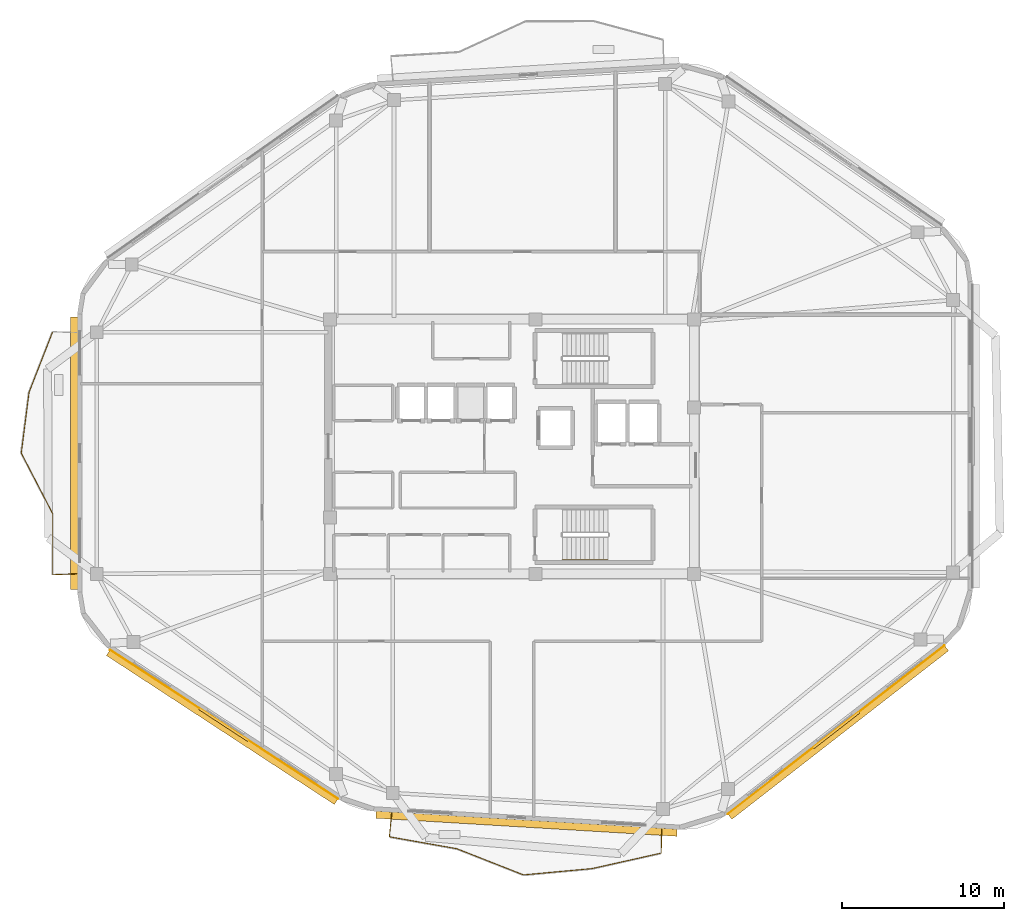
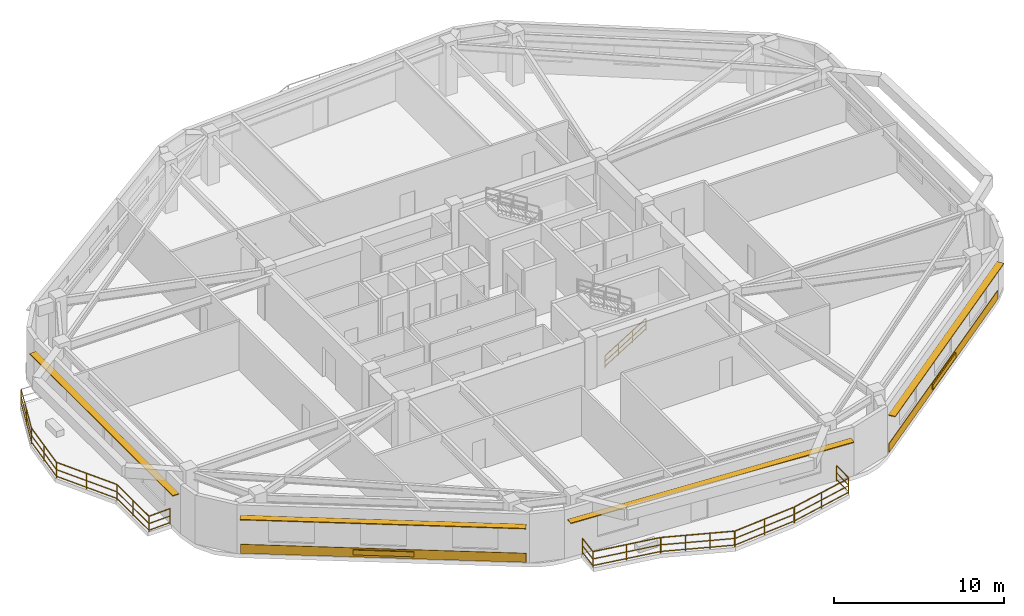
# One storey, part 7 of 10: 12 railings, 6 shading devices, 2 coverings.
"""IFC4 building model written with IfcOpenShell, lengths in metres."""

from ifc_helpers import new_model, si_unit, direction, frame, origin, origin_2d, place, context, subcontext, project, spatial, rectangle, extrude, material, layer, layer_set, type_object, element, save


model = new_model("IFC4")

# Units and contexts
model_context = context("Model", 3, precision=1e-05, world=origin(), true_north=direction((0.0, 1.0)))
body_context = subcontext(model_context, "Body", "Model", "MODEL_VIEW")
ifc_project = project(units=[si_unit("LENGTHUNIT", "METRE"), si_unit("AREAUNIT", "SQUARE_METRE"), si_unit("VOLUMEUNIT", "CUBIC_METRE"), si_unit("PLANEANGLEUNIT", "RADIAN"), si_unit("MASSUNIT", "GRAM", prefix="KILO")], contexts=[model_context])

# Site, building, storey
site_placement = place(None, origin())
site = spatial("IfcSite", under=ifc_project, at=site_placement, CompositionType="ELEMENT")
building_placement = place(site_placement, origin())
building = spatial("IfcBuilding", under=site, at=building_placement, Name="Zulverin Broadcast Headquarters", CompositionType="ELEMENT")
storey_placement = place(building_placement, frame((0.0, 0.0, 236.39990234375)))
storey = spatial("IfcBuildingStorey", under=building, at=storey_placement, Name="L60", CompositionType="ELEMENT", Elevation=236.39990234375)

# Coverings
ifc_material_1 = material(Name="Brushed pale-aluminium rainscreen cladding", Category="aluminium")
ifc_layer_1 = layer(ifc_material_1, 0.0400390625, Name="Brushed pale-aluminium rainscreen cladding", Category="aluminium")
ifc_layer_set_1 = layer_set([ifc_layer_1], Name="Brushed pale-aluminium rainscreen cladding")
covering_type = type_object("IfcCoveringType", Name="COV-CLAD-PALE", PredefinedType="CLADDING", material=ifc_layer_set_1)
covering_1_placement = place(storey_placement, frame((57.059326171875, 7.6767578125, 0.05517578125), z_axis=(0.0, 0.0, 1.0), x_axis=(0.789459183061, 0.613803061479, 0.0)))
element("IfcCovering", 1, at=covering_1_placement, inside=storey, type_object=covering_type, Name="L60 Brushed Pale-Aluminium Spandrel Cladding 2", PredefinedType="CLADDING", context=body_context, shape_type="SweptSolid", body=[
    extrude(rectangle(XDim=16.987548828125, YDim=0.0400390625, at=origin_2d()), origin(), (0.0, 0.0, 1.0), 0.64990234375),
])
covering_2_placement = place(storey_placement, frame((19.17578125, 8.00732421875, 0.05517578125), z_axis=(0.0, 0.0, 1.0), x_axis=(0.837115830387, -0.54702567263, 0.0)))
element("IfcCovering", 2, at=covering_2_placement, inside=storey, type_object=covering_type, Name="L60 Brushed Pale-Aluminium Spandrel Cladding 8", PredefinedType="CLADDING", context=body_context, shape_type="SweptSolid", body=[
    extrude(rectangle(XDim=16.859130859375, YDim=0.0400390625, at=origin_2d()), origin(), (0.0, 0.0, 1.0), 0.64990234375),
])

# Railings
ifc_material_2 = material(Name="Brushed stainless steel & laminated glass balustrade", Category="steel")
railing_type_1 = type_object("IfcRailingType", Name="RL-GUARD-1150", PredefinedType="GUARDRAIL", material=ifc_material_2)
railing_1_placement = place(storey_placement, frame((8.574462890625, 32.311279296875, 0.0)))
element("IfcRailing", 3, at=railing_1_placement, inside=storey, type_object=railing_type_1, Name="L60 Vertical-Forest Balcony Guardrail BAL_W Segment 02", PredefinedType="GUARDRAIL", context=body_context, shape_type="SweptSolid", body=[
    extrude(rectangle(XDim=0.048095703125, YDim=0.048095703125, at=origin_2d()), frame((0.0, 0.0, 1.1259765625), z_axis=(-0.363547639782, -0.931575608101, 0.0), x_axis=(0.931575608101, -0.363547639782, 0.0)), (0.0, 0.0, 1.0), 4.010498046875),
    extrude(rectangle(XDim=0.0419921875, YDim=0.0419921875, at=origin_2d()), frame((0.0, 0.0, 0.597900390625), z_axis=(-0.363547639782, -0.931575608101, 0.0), x_axis=(0.931575608101, -0.363547639782, 0.0)), (0.0, 0.0, 1.0), 4.010498046875),
    extrude(rectangle(XDim=0.0419921875, YDim=0.0419921875, at=origin_2d()), frame((0.0, 0.0, 0.1201171875), z_axis=(-0.363547639782, -0.931575608101, 0.0), x_axis=(0.931575608101, -0.363547639782, 0.0)), (0.0, 0.0, 1.0), 4.010498046875),
    extrude(rectangle(XDim=0.0419921875, YDim=0.0419921875, at=origin_2d()), origin(), (0.0, 0.0, 1.0), 1.101806640625),
    extrude(rectangle(XDim=0.0419921875, YDim=0.0419921875, at=origin_2d()), frame((-0.72900390625, -1.8681640625, 0.0)), (0.0, 0.0, 1.0), 1.101806640625),
    extrude(rectangle(XDim=0.0419921875, YDim=0.0419921875, at=origin_2d()), frame((-1.4580078125, -3.736083984375, 0.0)), (0.0, 0.0, 1.0), 1.101806640625),
])
railing_2_placement = place(storey_placement, frame((7.109130859375, 28.546142578125, 0.0)))
element("IfcRailing", 4, at=railing_2_placement, inside=storey, type_object=railing_type_1, Name="L60 Vertical-Forest Balcony Guardrail BAL_W Segment 03", PredefinedType="GUARDRAIL", context=body_context, shape_type="SweptSolid", body=[
    extrude(rectangle(XDim=0.048095703125, YDim=0.048095703125, at=origin_2d()), frame((0.0, 0.0, 1.1259765625), z_axis=(-0.126788023985, -0.991929834703, 0.0), x_axis=(0.991929834703, -0.126788023985, 0.0)), (0.0, 0.0, 1.0), 3.764404296875),
    extrude(rectangle(XDim=0.0419921875, YDim=0.0419921875, at=origin_2d()), frame((0.0, 0.0, 0.597900390625), z_axis=(-0.126788023985, -0.991929834703, 0.0), x_axis=(0.991929834703, -0.126788023985, 0.0)), (0.0, 0.0, 1.0), 3.764404296875),
    extrude(rectangle(XDim=0.0419921875, YDim=0.0419921875, at=origin_2d()), frame((0.0, 0.0, 0.1201171875), z_axis=(-0.126788023985, -0.991929834703, 0.0), x_axis=(0.991929834703, -0.126788023985, 0.0)), (0.0, 0.0, 1.0), 3.764404296875),
    extrude(rectangle(XDim=0.0419921875, YDim=0.0419921875, at=origin_2d()), origin(), (0.0, 0.0, 1.0), 1.101806640625),
    extrude(rectangle(XDim=0.0419921875, YDim=0.0419921875, at=origin_2d()), frame((-0.23876953125, -1.8671875, 0.0)), (0.0, 0.0, 1.0), 1.101806640625),
    extrude(rectangle(XDim=0.0419921875, YDim=0.0419921875, at=origin_2d()), frame((-0.477294921875, -3.734130859375, 0.0)), (0.0, 0.0, 1.0), 1.101806640625),
])
railing_3_placement = place(storey_placement, frame((6.636962890625, 24.78369140625, 0.0)))
element("IfcRailing", 5, at=railing_3_placement, inside=storey, type_object=railing_type_1, Name="L60 Vertical-Forest Balcony Guardrail BAL_W Segment 04", PredefinedType="GUARDRAIL", context=body_context, shape_type="SweptSolid", body=[
    extrude(rectangle(XDim=0.048095703125, YDim=0.048095703125, at=origin_2d()), frame((0.0, 0.0, 1.1259765625), z_axis=(0.459951434147, -0.887944073816, 0.0), x_axis=(0.887944073816, 0.459951434147, 0.0)), (0.0, 0.0, 1.0), 4.209228515625),
    extrude(rectangle(XDim=0.0419921875, YDim=0.0419921875, at=origin_2d()), frame((0.0, 0.0, 0.597900390625), z_axis=(0.459951434147, -0.887944073816, 0.0), x_axis=(0.887944073816, 0.459951434147, 0.0)), (0.0, 0.0, 1.0), 4.209228515625),
    extrude(rectangle(XDim=0.0419921875, YDim=0.0419921875, at=origin_2d()), frame((0.0, 0.0, 0.1201171875), z_axis=(0.459951434147, -0.887944073816, 0.0), x_axis=(0.887944073816, 0.459951434147, 0.0)), (0.0, 0.0, 1.0), 4.209228515625),
    extrude(rectangle(XDim=0.0419921875, YDim=0.0419921875, at=origin_2d()), origin(), (0.0, 0.0, 1.0), 1.101806640625),
    extrude(rectangle(XDim=0.0419921875, YDim=0.0419921875, at=origin_2d()), frame((0.968017578125, -1.86865234375, 0.0)), (0.0, 0.0, 1.0), 1.101806640625),
    extrude(rectangle(XDim=0.0419921875, YDim=0.0419921875, at=origin_2d()), frame((1.93603515625, -3.737548828125, 0.0)), (0.0, 0.0, 1.0), 1.101806640625),
])
railing_4_placement = place(storey_placement, frame((8.580078125, 21.017822265625, 0.0)))
element("IfcRailing", 6, at=railing_4_placement, inside=storey, type_object=railing_type_1, Name="L60 Vertical-Forest Balcony Guardrail BAL_W Segment 05", PredefinedType="GUARDRAIL", context=body_context, shape_type="SweptSolid", body=[
    extrude(rectangle(XDim=0.048095703125, YDim=0.048095703125, at=origin_2d()), frame((0.0, 0.0, 1.1259765625), z_axis=(0.0, -1.0, 0.0), x_axis=(1.0, 0.0, 0.0)), (0.0, 0.0, 1.0), 3.734130859375),
    extrude(rectangle(XDim=0.0419921875, YDim=0.0419921875, at=origin_2d()), frame((0.0, 0.0, 0.597900390625), z_axis=(0.0, -1.0, 0.0), x_axis=(1.0, 0.0, 0.0)), (0.0, 0.0, 1.0), 3.734130859375),
    extrude(rectangle(XDim=0.0419921875, YDim=0.0419921875, at=origin_2d()), frame((0.0, 0.0, 0.1201171875), z_axis=(0.0, -1.0, 0.0), x_axis=(1.0, 0.0, 0.0)), (0.0, 0.0, 1.0), 3.734130859375),
    extrude(rectangle(XDim=0.0419921875, YDim=0.0419921875, at=origin_2d()), origin(), (0.0, 0.0, 1.0), 1.101806640625),
    extrude(rectangle(XDim=0.0419921875, YDim=0.0419921875, at=origin_2d()), frame((0.0, -1.8671875, 0.0)), (0.0, 0.0, 1.0), 1.101806640625),
    extrude(rectangle(XDim=0.0419921875, YDim=0.0419921875, at=origin_2d()), frame((0.0, -3.734130859375, 0.0)), (0.0, 0.0, 1.0), 1.101806640625),
])
railing_5_placement = place(storey_placement, frame((8.594970703125, 17.269287109375, 0.0)))
element("IfcRailing", 7, at=railing_5_placement, inside=storey, type_object=railing_type_1, Name="L60 Vertical-Forest Balcony Guardrail BAL_W Segment 06", PredefinedType="GUARDRAIL", context=body_context, shape_type="SweptSolid", body=[
    extrude(rectangle(XDim=0.048095703125, YDim=0.048095703125, at=origin_2d()), frame((0.0, 0.0, 1.1259765625), z_axis=(0.999181155166, 0.040460093435, 0.0), x_axis=(-0.040460093435, 0.999181155166, 0.0)), (0.0, 0.0, 1.0), 1.46630859375),
    extrude(rectangle(XDim=0.0419921875, YDim=0.0419921875, at=origin_2d()), frame((0.0, 0.0, 0.597900390625), z_axis=(0.999181155166, 0.040460093435, 0.0), x_axis=(-0.040460093435, 0.999181155166, 0.0)), (0.0, 0.0, 1.0), 1.46630859375),
    extrude(rectangle(XDim=0.0419921875, YDim=0.0419921875, at=origin_2d()), frame((0.0, 0.0, 0.1201171875), z_axis=(0.999181155166, 0.040460093435, 0.0), x_axis=(-0.040460093435, 0.999181155166, 0.0)), (0.0, 0.0, 1.0), 1.46630859375),
    extrude(rectangle(XDim=0.0419921875, YDim=0.0419921875, at=origin_2d()), origin(), (0.0, 0.0, 1.0), 1.101806640625),
    extrude(rectangle(XDim=0.0419921875, YDim=0.0419921875, at=origin_2d()), frame((1.465087890625, 0.059326171875, 0.0)), (0.0, 0.0, 1.0), 1.101806640625),
])
railing_6_placement = place(storey_placement, frame((29.5576171875, 2.525390625, 0.0)))
element("IfcRailing", 8, at=railing_6_placement, inside=storey, type_object=railing_type_1, Name="L60 Vertical-Forest Balcony Guardrail BAL_S Segment 01", PredefinedType="GUARDRAIL", context=body_context, shape_type="SweptSolid", body=[
    extrude(rectangle(XDim=0.048095703125, YDim=0.048095703125, at=origin_2d()), frame((0.0, 0.0, 1.1259765625), z_axis=(-0.100245616419, -0.994962721105, 0.0), x_axis=(0.994962721105, -0.100245616419, 0.0)), (0.0, 0.0, 1.0), 1.466064453125),
    extrude(rectangle(XDim=0.0419921875, YDim=0.0419921875, at=origin_2d()), frame((0.0, 0.0, 0.597900390625), z_axis=(-0.100245616419, -0.994962721105, 0.0), x_axis=(0.994962721105, -0.100245616419, 0.0)), (0.0, 0.0, 1.0), 1.466064453125),
    extrude(rectangle(XDim=0.0419921875, YDim=0.0419921875, at=origin_2d()), frame((0.0, 0.0, 0.1201171875), z_axis=(-0.100245616419, -0.994962721105, 0.0), x_axis=(0.994962721105, -0.100245616419, 0.0)), (0.0, 0.0, 1.0), 1.466064453125),
    extrude(rectangle(XDim=0.0419921875, YDim=0.0419921875, at=origin_2d()), origin(), (0.0, 0.0, 1.0), 1.101806640625),
    extrude(rectangle(XDim=0.0419921875, YDim=0.0419921875, at=origin_2d()), frame((-0.14697265625, -1.458740234375, 0.0)), (0.0, 0.0, 1.0), 1.101806640625),
])
railing_7_placement = place(storey_placement, frame((29.423828125, 1.049072265625, 0.0)))
element("IfcRailing", 9, at=railing_7_placement, inside=storey, type_object=railing_type_1, Name="L60 Vertical-Forest Balcony Guardrail BAL_S Segment 02", PredefinedType="GUARDRAIL", context=body_context, shape_type="SweptSolid", body=[
    extrude(rectangle(XDim=0.048095703125, YDim=0.048095703125, at=origin_2d()), frame((0.0, 0.0, 1.1259765625), z_axis=(0.98468188755, -0.174360489592, 0.0), x_axis=(0.174360489592, 0.98468188755, 0.0)), (0.0, 0.0, 1.0), 4.213134765625),
    extrude(rectangle(XDim=0.0419921875, YDim=0.0419921875, at=origin_2d()), frame((0.0, 0.0, 0.597900390625), z_axis=(0.98468188755, -0.174360489592, 0.0), x_axis=(0.174360489592, 0.98468188755, 0.0)), (0.0, 0.0, 1.0), 4.213134765625),
    extrude(rectangle(XDim=0.0419921875, YDim=0.0419921875, at=origin_2d()), frame((0.0, 0.0, 0.1201171875), z_axis=(0.98468188755, -0.174360489592, 0.0), x_axis=(0.174360489592, 0.98468188755, 0.0)), (0.0, 0.0, 1.0), 4.213134765625),
    extrude(rectangle(XDim=0.0419921875, YDim=0.0419921875, at=origin_2d()), origin(), (0.0, 0.0, 1.0), 1.101806640625),
    extrude(rectangle(XDim=0.0419921875, YDim=0.0419921875, at=origin_2d()), frame((2.07421875, -0.3671875, 0.0)), (0.0, 0.0, 1.0), 1.101806640625),
    extrude(rectangle(XDim=0.0419921875, YDim=0.0419921875, at=origin_2d()), frame((4.148681640625, -0.734619140625, 0.0)), (0.0, 0.0, 1.0), 1.101806640625),
])
railing_8_placement = place(storey_placement, frame((33.601318359375, 0.306396484375, 0.0)))
element("IfcRailing", 10, at=railing_8_placement, inside=storey, type_object=railing_type_1, Name="L60 Vertical-Forest Balcony Guardrail BAL_S Segment 03", PredefinedType="GUARDRAIL", context=body_context, shape_type="SweptSolid", body=[
    extrude(rectangle(XDim=0.048095703125, YDim=0.048095703125, at=origin_2d()), frame((0.0, 0.0, 1.1259765625), z_axis=(0.930750145206, -0.365655804275, 0.0), x_axis=(0.365655804275, 0.930750145206, 0.0)), (0.0, 0.0, 1.0), 4.402099609375),
    extrude(rectangle(XDim=0.0419921875, YDim=0.0419921875, at=origin_2d()), frame((0.0, 0.0, 0.597900390625), z_axis=(0.930750145206, -0.365655804275, 0.0), x_axis=(0.365655804275, 0.930750145206, 0.0)), (0.0, 0.0, 1.0), 4.402099609375),
    extrude(rectangle(XDim=0.0419921875, YDim=0.0419921875, at=origin_2d()), frame((0.0, 0.0, 0.1201171875), z_axis=(0.930750145206, -0.365655804275, 0.0), x_axis=(0.365655804275, 0.930750145206, 0.0)), (0.0, 0.0, 1.0), 4.402099609375),
    extrude(rectangle(XDim=0.0419921875, YDim=0.0419921875, at=origin_2d()), origin(), (0.0, 0.0, 1.0), 1.101806640625),
    extrude(rectangle(XDim=0.0419921875, YDim=0.0419921875, at=origin_2d()), frame((1.36572265625, -0.53662109375, 0.0)), (0.0, 0.0, 1.0), 1.101806640625),
    extrude(rectangle(XDim=0.0419921875, YDim=0.0419921875, at=origin_2d()), frame((2.7314453125, -1.072998046875, 0.0)), (0.0, 0.0, 1.0), 1.101806640625),
    extrude(rectangle(XDim=0.0419921875, YDim=0.0419921875, at=origin_2d()), frame((4.09716796875, -1.609619140625, 0.0)), (0.0, 0.0, 1.0), 1.101806640625),
])
railing_9_placement = place(storey_placement, frame((37.727294921875, -1.307373046875, 0.0)))
element("IfcRailing", 11, at=railing_9_placement, inside=storey, type_object=railing_type_1, Name="L60 Vertical-Forest Balcony Guardrail BAL_S Segment 04", PredefinedType="GUARDRAIL", context=body_context, shape_type="SweptSolid", body=[
    extrude(rectangle(XDim=0.048095703125, YDim=0.048095703125, at=origin_2d()), frame((0.0, 0.0, 1.1259765625), z_axis=(0.995788572602, 0.091679434304, 0.0), x_axis=(-0.091679434304, 0.995788572602, 0.0)), (0.0, 0.0, 1.0), 4.234130859375),
    extrude(rectangle(XDim=0.0419921875, YDim=0.0419921875, at=origin_2d()), frame((0.0, 0.0, 0.597900390625), z_axis=(0.995788572602, 0.091679434304, 0.0), x_axis=(-0.091679434304, 0.995788572602, 0.0)), (0.0, 0.0, 1.0), 4.234130859375),
    extrude(rectangle(XDim=0.0419921875, YDim=0.0419921875, at=origin_2d()), frame((0.0, 0.0, 0.1201171875), z_axis=(0.995788572602, 0.091679434304, 0.0), x_axis=(-0.091679434304, 0.995788572602, 0.0)), (0.0, 0.0, 1.0), 4.234130859375),
    extrude(rectangle(XDim=0.0419921875, YDim=0.0419921875, at=origin_2d()), origin(), (0.0, 0.0, 1.0), 1.101806640625),
    extrude(rectangle(XDim=0.0419921875, YDim=0.0419921875, at=origin_2d()), frame((2.108154296875, 0.194091796875, 0.0)), (0.0, 0.0, 1.0), 1.101806640625),
    extrude(rectangle(XDim=0.0419921875, YDim=0.0419921875, at=origin_2d()), frame((4.21630859375, 0.38818359375, 0.0)), (0.0, 0.0, 1.0), 1.101806640625),
])
railing_10_placement = place(storey_placement, frame((41.972900390625, -0.91455078125, 0.0)))
element("IfcRailing", 12, at=railing_10_placement, inside=storey, type_object=railing_type_1, Name="L60 Vertical-Forest Balcony Guardrail BAL_S Segment 05", PredefinedType="GUARDRAIL", context=body_context, shape_type="SweptSolid", body=[
    extrude(rectangle(XDim=0.048095703125, YDim=0.048095703125, at=origin_2d()), frame((0.0, 0.0, 1.1259765625), z_axis=(0.975797824744, 0.218674656108, 0.0), x_axis=(-0.218674656108, 0.975797824744, 0.0)), (0.0, 0.0, 1.0), 4.3564453125),
    extrude(rectangle(XDim=0.0419921875, YDim=0.0419921875, at=origin_2d()), frame((0.0, 0.0, 0.597900390625), z_axis=(0.975797824744, 0.218674656108, 0.0), x_axis=(-0.218674656108, 0.975797824744, 0.0)), (0.0, 0.0, 1.0), 4.3564453125),
    extrude(rectangle(XDim=0.0419921875, YDim=0.0419921875, at=origin_2d()), frame((0.0, 0.0, 0.1201171875), z_axis=(0.975797824744, 0.218674656108, 0.0), x_axis=(-0.218674656108, 0.975797824744, 0.0)), (0.0, 0.0, 1.0), 4.3564453125),
    extrude(rectangle(XDim=0.0419921875, YDim=0.0419921875, at=origin_2d()), origin(), (0.0, 0.0, 1.0), 1.101806640625),
    extrude(rectangle(XDim=0.0419921875, YDim=0.0419921875, at=origin_2d()), frame((2.12548828125, 0.476318359375, 0.0)), (0.0, 0.0, 1.0), 1.101806640625),
    extrude(rectangle(XDim=0.0419921875, YDim=0.0419921875, at=origin_2d()), frame((4.2509765625, 0.95263671875, 0.0)), (0.0, 0.0, 1.0), 1.101806640625),
])
railing_11_placement = place(storey_placement, frame((46.23876953125, 0.056396484375, 0.0)))
element("IfcRailing", 13, at=railing_11_placement, inside=storey, type_object=railing_type_1, Name="L60 Vertical-Forest Balcony Guardrail BAL_S Segment 06", PredefinedType="GUARDRAIL", context=body_context, shape_type="SweptSolid", body=[
    extrude(rectangle(XDim=0.048095703125, YDim=0.048095703125, at=origin_2d()), frame((0.0, 0.0, 1.1259765625), z_axis=(0.019483309682, 0.999810182307, 0.0), x_axis=(-0.999810182307, 0.019483309682, 0.0)), (0.0, 0.0, 1.0), 1.466064453125),
    extrude(rectangle(XDim=0.0419921875, YDim=0.0419921875, at=origin_2d()), frame((0.0, 0.0, 0.597900390625), z_axis=(0.019483309682, 0.999810182307, 0.0), x_axis=(-0.999810182307, 0.019483309682, 0.0)), (0.0, 0.0, 1.0), 1.466064453125),
    extrude(rectangle(XDim=0.0419921875, YDim=0.0419921875, at=origin_2d()), frame((0.0, 0.0, 0.1201171875), z_axis=(0.019483309682, 0.999810182307, 0.0), x_axis=(-0.999810182307, 0.019483309682, 0.0)), (0.0, 0.0, 1.0), 1.466064453125),
    extrude(rectangle(XDim=0.0419921875, YDim=0.0419921875, at=origin_2d()), origin(), (0.0, 0.0, 1.0), 1.101806640625),
    extrude(rectangle(XDim=0.0419921875, YDim=0.0419921875, at=origin_2d()), frame((0.028564453125, 1.4658203125, 0.0)), (0.0, 0.0, 1.0), 1.101806640625),
])
ifc_material_3 = material(Name="Brushed stainless steel 48 mm handrail", Category="steel")
railing_type_2 = type_object("IfcRailingType", Name="RL-ST-HAND", PredefinedType="HANDRAIL", material=ifc_material_3)
railing_12_placement = place(storey_placement, frame((40.1298828125, 18.199951171875, 0.1728515625)))
element("IfcRailing", 14, at=railing_12_placement, inside=storey, type_object=railing_type_2, Name="L60 ST-2 stair handrail 1", PredefinedType="HANDRAIL", context=body_context, shape_type="SweptSolid", body=[
    extrude(rectangle(XDim=0.048095703125, YDim=0.048095703125, at=origin_2d()), frame((0.0, 0.0, 0.8759765625), z_axis=(0.851089632645, 0.0, 0.525020415988), x_axis=(0.0, 1.0, 0.0)), (0.0, 0.0, 1.0), 3.2900390625),
    extrude(rectangle(XDim=0.0419921875, YDim=0.0419921875, at=origin_2d()), frame((0.0, 0.0, 0.468017578125), z_axis=(0.851089632645, 0.0, 0.525020415988), x_axis=(0.0, 1.0, 0.0)), (0.0, 0.0, 1.0), 3.2900390625),
    extrude(rectangle(XDim=0.0419921875, YDim=0.0419921875, at=origin_2d()), frame((0.0, 0.0, 0.1201171875), z_axis=(0.851089632645, 0.0, 0.525020415988), x_axis=(0.0, 1.0, 0.0)), (0.0, 0.0, 1.0), 3.2900390625),
    extrude(rectangle(XDim=0.0419921875, YDim=0.0419921875, at=origin_2d()), origin(), (0.0, 0.0, 1.0), 0.851806640625),
    extrude(rectangle(XDim=0.0419921875, YDim=0.0419921875, at=origin_2d()), frame((0.933349609375, 0.0, 0.57568359375)), (0.0, 0.0, 1.0), 0.851806640625),
    extrude(rectangle(XDim=0.0419921875, YDim=0.0419921875, at=origin_2d()), frame((1.86669921875, 0.0, 1.151611328125)), (0.0, 0.0, 1.0), 0.851806640625),
    extrude(rectangle(XDim=0.0419921875, YDim=0.0419921875, at=origin_2d()), frame((2.800048828125, 0.0, 1.727294921875)), (0.0, 0.0, 1.0), 0.851806640625),
])

# Shading devices
ifc_material_4 = material(Name="Anodized pale-metal aluminium acoustic louvre", Category="aluminium")
shading_device_type_1 = type_object("IfcShadingDeviceType", Name="SHD-LOUVRE-350", PredefinedType="USERDEFINED", material=ifc_material_4)
for number, where, z_axis, x_axis, name in (
    (15, (57.077880859375, 7.653076171875, 0.2451171875), (0.0, 0.0, 1.0), (0.789459183061, 0.613803061479, 0.0), "L60 Spandrel Intake Louvre 2"),
    (16, (19.1591796875, 7.982421875, 0.2451171875), (0.0, 0.0, 1.0), (0.837115830387, -0.54702567263, 0.0), "L60 Spandrel Intake Louvre 8"),
):
    element("IfcShadingDevice", number, at=place(storey_placement, frame(where, z_axis=z_axis, x_axis=x_axis)), inside=storey, type_object=shading_device_type_1, Name=name, ObjectType="LOUVRE", PredefinedType="USERDEFINED", context=body_context, shape_type="SweptSolid", body=[
        extrude(rectangle(XDim=3.60009765625, YDim=0.1201171875, at=origin_2d()), origin(), (0.0, 0.0, 1.0), 0.35009765625),
    ])
ifc_material_5 = material(Name="Anodized pale-metal aluminium sunshade", Category="aluminium")
ifc_layer_2 = layer(ifc_material_5, 0.06005859375, Name="Anodized pale-metal aluminium sunshade", Category="aluminium")
ifc_layer_set_2 = layer_set([ifc_layer_2], Name="Anodized pale-metal aluminium sunshade")
shading_device_type_2 = type_object("IfcShadingDeviceType", Name="SS-01_PALE_METAL_ALUMINIUM_SUNSHADE", PredefinedType="USERDEFINED", material=ifc_layer_set_2)
shading_device_1_placement = place(storey_placement, frame((37.90283203125, 1.864013671875, 2.7099609375), z_axis=(0.0, 0.0, 1.0), x_axis=(0.998202681386, -0.059928347834, 0.0)))
element("IfcShadingDevice", 17, at=shading_device_1_placement, inside=storey, type_object=shading_device_type_2, Name="L60 Horizontal Pale-Metal Sunshade Band 1", ObjectType="SUNSHADE", PredefinedType="USERDEFINED", context=body_context, shape_type="SweptSolid", body=[
    extrude(rectangle(XDim=18.65966796875, YDim=0.449951171875, at=origin_2d()), origin(), (0.0, 0.0, 1.0), 0.06005859375),
])
shading_device_2_placement = place(storey_placement, frame((57.176025390625, 7.52685546875, 2.7099609375), z_axis=(0.0, 0.0, 1.0), x_axis=(0.789459183061, 0.613803061479, 0.0)))
element("IfcShadingDevice", 18, at=shading_device_2_placement, inside=storey, type_object=shading_device_type_2, Name="L60 Horizontal Pale-Metal Sunshade Band 2", ObjectType="SUNSHADE", PredefinedType="USERDEFINED", context=body_context, shape_type="SweptSolid", body=[
    extrude(rectangle(XDim=16.987548828125, YDim=0.449951171875, at=origin_2d()), origin(), (0.0, 0.0, 1.0), 0.06005859375),
])
shading_device_3_placement = place(storey_placement, frame((9.89990234375, 24.797119140625, 2.7099609375), z_axis=(0.0, 0.0, 1.0), x_axis=(0.0, -1.0, 0.0)))
element("IfcShadingDevice", 19, at=shading_device_3_placement, inside=storey, type_object=shading_device_type_2, Name="L60 Horizontal Pale-Metal Sunshade Band 7", ObjectType="SUNSHADE", PredefinedType="USERDEFINED", context=body_context, shape_type="SweptSolid", body=[
    extrude(rectangle(XDim=16.856689453125, YDim=0.449951171875, at=origin_2d()), origin(), (0.0, 0.0, 1.0), 0.06005859375),
])
shading_device_4_placement = place(storey_placement, frame((19.07177734375, 7.848388671875, 2.7099609375), z_axis=(0.0, 0.0, 1.0), x_axis=(0.837115830387, -0.54702567263, 0.0)))
element("IfcShadingDevice", 20, at=shading_device_4_placement, inside=storey, type_object=shading_device_type_2, Name="L60 Horizontal Pale-Metal Sunshade Band 8", ObjectType="SUNSHADE", PredefinedType="USERDEFINED", context=body_context, shape_type="SweptSolid", body=[
    extrude(rectangle(XDim=16.859130859375, YDim=0.449951171875, at=origin_2d()), origin(), (0.0, 0.0, 1.0), 0.06005859375),
])

save(model, "model.ifc")
